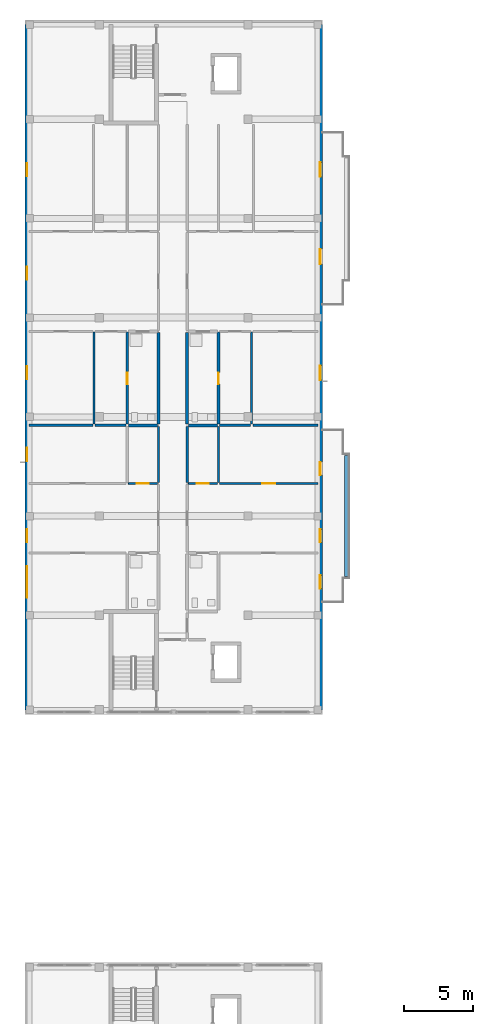
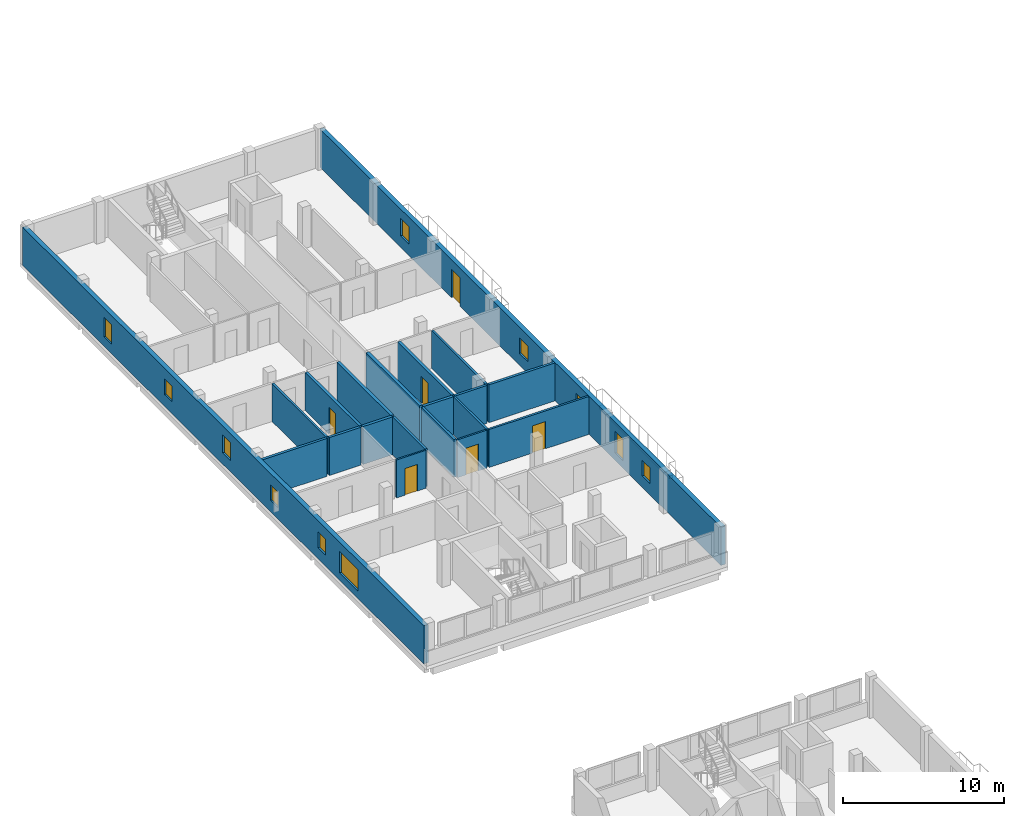
# One storey, part 17 of 41: 21 walls, 10 windows, 7 doors, 17 openings.
"""IFC4 building model written with IfcOpenShell, lengths in metres."""

from ifc_helpers import new_model, si_unit, derived_unit, direction, frame, frame_2d, origin, place, context, subcontext, project, spatial, rectangle, extrude, material, layer, layer_set, type_object, element, fill, save


model = new_model("IFC4")

# Units and contexts
model_context = context("Model", 3, precision=1e-05, world=origin(), true_north=direction((0.0, 1.0)))
body_context = subcontext(model_context, "Body", "Model", "MODEL_VIEW")
ifc_project = project(units=[si_unit("LENGTHUNIT", "METRE"), si_unit("AREAUNIT", "SQUARE_METRE"), si_unit("VOLUMEUNIT", "CUBIC_METRE"), si_unit("PLANEANGLEUNIT", "RADIAN"), si_unit("MASSUNIT", "GRAM", prefix="KILO"), derived_unit("THERMALTRANSMITTANCEUNIT", [(si_unit("MASSUNIT", "GRAM", prefix="KILO"), 1), (si_unit("TIMEUNIT", "SECOND"), -3), (si_unit("THERMODYNAMICTEMPERATUREUNIT", "KELVIN"), -1)])], contexts=[model_context])

# Site, building, storey
site_placement = place(None, origin())
site = spatial("IfcSite", under=ifc_project, at=site_placement, CompositionType="ELEMENT")
building_placement = place(site_placement, origin())
building = spatial("IfcBuilding", under=site, at=building_placement, Name="Ochrekiln Boulevard Commons", CompositionType="ELEMENT")
storey_placement = place(building_placement, frame((0.0, 0.0, 21.52490234375)))
storey = spatial("IfcBuildingStorey", under=building, at=storey_placement, Name="L06", CompositionType="ELEMENT", Elevation=21.52490234375)

# Wall, openings, windows
ifc_material_1 = material(Name="Desert ochre clinker brick masonry ASTM C216 Grade SW", Category="masonry")
ifc_layer_1 = layer(ifc_material_1, 0.320068359375)
ifc_layer_set_1 = layer_set([ifc_layer_1], Name="Desert ochre clinker brick masonry ASTM C216 Grade SW")
wall_type_1 = type_object("IfcWallType", Name="WL-EXT-OCHRE-320", PredefinedType="SOLIDWALL", material=ifc_layer_set_1)
wall_1_placement = place(storey_placement, frame((0.159912109375, 68.719970703125, 0.0), z_axis=(0.0, 0.0, 1.0), x_axis=(0.0, 1.0, 0.0)))
wall_1 = element("IfcWall", 1, at=wall_1_placement, inside=storey, type_object=wall_type_1, Name="Block A L06 W Exterior Wall", PredefinedType="SOLIDWALL", context=body_context, shape_type="SweptSolid", body=[
    extrude(rectangle(XDim=49.760009765625, YDim=0.320068359375, at=frame_2d((24.8798828125, 0.0))), origin(), (0.0, 0.0, 1.0), 2.89013671875),
])
opening_1_placement = place(wall_1_placement, frame((12.1689453125, 0.0, 0.85009765625)))
opening_1 = element("IfcOpeningElement", 2, at=opening_1_placement, cuts=wall_1, Name="Opening W-01", PredefinedType="OPENING", context=body_context, shape_type="SweptSolid", body=[
    extrude(rectangle(XDim=0.949951171875, YDim=1.199951171875, at=frame_2d((0.47509765625, 0.60009765625))), frame((0.0, 0.169921875, 0.0), z_axis=(0.0, -1.0, 0.0), x_axis=(1.0, 0.0, 0.0)), (0.0, 0.0, 1.0), 0.340087890625),
])
opening_2_placement = place(wall_1_placement, frame((8.14892578125, 0.0, 0.554931640625)))
opening_2 = element("IfcOpeningElement", 3, at=opening_2_placement, cuts=wall_1, Name="Opening W-59", PredefinedType="OPENING", context=body_context, shape_type="SweptSolid", body=[
    extrude(rectangle(XDim=2.300048828125, YDim=1.64990234375, at=frame_2d((1.14990234375, 0.824951171875))), frame((0.0, 0.169921875, 0.0), z_axis=(0.0, -1.0, 0.0), x_axis=(1.0, 0.0, 0.0)), (0.0, 0.0, 1.0), 0.340087890625),
])
opening_3_placement = place(wall_1_placement, frame((18.072021484375, 0.0, 0.85009765625)))
opening_3 = element("IfcOpeningElement", 4, at=opening_3_placement, cuts=wall_1, Name="Opening W-01", PredefinedType="OPENING", context=body_context, shape_type="SweptSolid", body=[
    extrude(rectangle(XDim=0.949951171875, YDim=1.199951171875, at=frame_2d((0.47509765625, 0.60009765625))), frame((0.0, 0.169921875, 0.0), z_axis=(0.0, -1.0, 0.0), x_axis=(1.0, 0.0, 0.0)), (0.0, 0.0, 1.0), 0.340087890625),
])
opening_4_placement = place(wall_1_placement, frame((31.22509765625, 0.0, 0.89990234375)))
opening_4 = element("IfcOpeningElement", 5, at=opening_4_placement, cuts=wall_1, Name="Opening W-01", PredefinedType="OPENING", context=body_context, shape_type="SweptSolid", body=[
    extrude(rectangle(XDim=0.949951171875, YDim=1.199951171875, at=frame_2d((0.47509765625, 0.60009765625))), frame((0.0, 0.169921875, 0.0), z_axis=(0.0, -1.0, 0.0), x_axis=(1.0, 0.0, 0.0)), (0.0, 0.0, 1.0), 0.340087890625),
])
opening_5_placement = place(wall_1_placement, frame((24.001953125, 0.0, 0.85498046875)))
opening_5 = element("IfcOpeningElement", 6, at=opening_5_placement, cuts=wall_1, Name="Opening W-02", PredefinedType="OPENING", context=body_context, shape_type="SweptSolid", body=[
    extrude(rectangle(XDim=0.949951171875, YDim=1.35009765625, at=frame_2d((0.47509765625, 0.675048828125))), frame((0.0, 0.169921875, 0.0), z_axis=(0.0, -1.0, 0.0), x_axis=(1.0, 0.0, 0.0)), (0.0, 0.0, 1.0), 0.340087890625),
])
opening_6_placement = place(wall_1_placement, frame((38.739990234375, 0.0, 0.705078125)))
opening_6 = element("IfcOpeningElement", 7, at=opening_6_placement, cuts=wall_1, Name="Opening W-03", PredefinedType="OPENING", context=body_context, shape_type="SweptSolid", body=[
    extrude(rectangle(XDim=0.949951171875, YDim=1.5, at=frame_2d((0.47509765625, 0.75))), frame((0.0, 0.169921875, 0.0), z_axis=(0.0, -1.0, 0.0), x_axis=(1.0, 0.0, 0.0)), (0.0, 0.0, 1.0), 0.340087890625),
])
ifc_material_2 = material(Name="Thermally broken aluminium-clad oak frame", Category="aluminium")
window_type_1 = type_object("IfcWindowType", Name="WIN-EXT-01", PartitioningType="SINGLE_PANEL", PredefinedType="WINDOW", material=ifc_material_2)
window_1_placement = place(opening_1_placement, origin())
window_1 = element("IfcWindow", 8, at=window_1_placement, inside=storey, type_object=window_type_1, Name="Block A L06 Punched Masonry Window W-01", OverallHeight=1.199951171875, OverallWidth=0.949951171875, PartitioningType="SINGLE_PANEL", PredefinedType="WINDOW", context=body_context, shape_type="SweptSolid", body=[
    extrude(rectangle(XDim=0.949951171875, YDim=1.199951171875, at=frame_2d((0.47509765625, 0.60009765625))), frame((0.0, 0.030029296875, 0.0), z_axis=(0.0, -1.0, 0.0), x_axis=(1.0, 0.0, 0.0)), (0.0, 0.0, 1.0), 0.06005859375),
])
fill(opening_1, window_1)
window_2_placement = place(opening_3_placement, origin())
window_2 = element("IfcWindow", 9, at=window_2_placement, inside=storey, type_object=window_type_1, Name="Block A L06 Punched Masonry Window W-01", OverallHeight=1.199951171875, OverallWidth=0.949951171875, PartitioningType="SINGLE_PANEL", PredefinedType="WINDOW", context=body_context, shape_type="SweptSolid", body=[
    extrude(rectangle(XDim=0.949951171875, YDim=1.199951171875, at=frame_2d((0.47509765625, 0.60009765625))), frame((0.0, 0.030029296875, 0.0), z_axis=(0.0, -1.0, 0.0), x_axis=(1.0, 0.0, 0.0)), (0.0, 0.0, 1.0), 0.06005859375),
])
fill(opening_3, window_2)
window_3_placement = place(opening_4_placement, origin())
window_3 = element("IfcWindow", 10, at=window_3_placement, inside=storey, type_object=window_type_1, Name="Block A L06 Punched Masonry Window W-01", OverallHeight=1.199951171875, OverallWidth=0.949951171875, PartitioningType="SINGLE_PANEL", PredefinedType="WINDOW", context=body_context, shape_type="SweptSolid", body=[
    extrude(rectangle(XDim=0.949951171875, YDim=1.199951171875, at=frame_2d((0.47509765625, 0.60009765625))), frame((0.0, 0.030029296875, 0.0), z_axis=(0.0, -1.0, 0.0), x_axis=(1.0, 0.0, 0.0)), (0.0, 0.0, 1.0), 0.06005859375),
])
fill(opening_4, window_3)
window_type_2 = type_object("IfcWindowType", Name="WIN-EXT-02", PartitioningType="SINGLE_PANEL", PredefinedType="WINDOW", material=ifc_material_2)
window_4_placement = place(opening_5_placement, origin())
window_4 = element("IfcWindow", 11, at=window_4_placement, inside=storey, type_object=window_type_2, Name="Block A L06 Punched Masonry Window W-02", OverallHeight=1.35009765625, OverallWidth=0.949951171875, PartitioningType="SINGLE_PANEL", PredefinedType="WINDOW", context=body_context, shape_type="SweptSolid", body=[
    extrude(rectangle(XDim=0.949951171875, YDim=1.35009765625, at=frame_2d((0.47509765625, 0.675048828125))), frame((0.0, 0.030029296875, 0.0), z_axis=(0.0, -1.0, 0.0), x_axis=(1.0, 0.0, 0.0)), (0.0, 0.0, 1.0), 0.06005859375),
])
fill(opening_5, window_4)
window_type_3 = type_object("IfcWindowType", Name="WIN-EXT-03", PartitioningType="SINGLE_PANEL", PredefinedType="WINDOW", material=ifc_material_2)
window_5_placement = place(opening_6_placement, origin())
window_5 = element("IfcWindow", 12, at=window_5_placement, inside=storey, type_object=window_type_3, Name="Block A L06 Punched Masonry Window W-03", OverallHeight=1.5, OverallWidth=0.949951171875, PartitioningType="SINGLE_PANEL", PredefinedType="WINDOW", context=body_context, shape_type="SweptSolid", body=[
    extrude(rectangle(XDim=0.949951171875, YDim=1.5, at=frame_2d((0.47509765625, 0.75))), frame((0.0, 0.030029296875, 0.0), z_axis=(0.0, -1.0, 0.0), x_axis=(1.0, 0.0, 0.0)), (0.0, 0.0, 1.0), 0.06005859375),
])
fill(opening_6, window_5)
window_type_4 = type_object("IfcWindowType", Name="WIN-EXT-59", PartitioningType="DOUBLE_PANEL_VERTICAL", PredefinedType="WINDOW", material=ifc_material_2)
window_6_placement = place(opening_2_placement, origin())
window_6 = element("IfcWindow", 13, at=window_6_placement, inside=storey, type_object=window_type_4, Name="Block A L06 Punched Masonry Window W-59", OverallHeight=1.64990234375, OverallWidth=2.300048828125, PartitioningType="DOUBLE_PANEL_VERTICAL", PredefinedType="WINDOW", context=body_context, shape_type="SweptSolid", body=[
    extrude(rectangle(XDim=2.300048828125, YDim=1.64990234375, at=frame_2d((1.14990234375, 0.824951171875))), frame((0.0, 0.030029296875, 0.0), z_axis=(0.0, -1.0, 0.0), x_axis=(1.0, 0.0, 0.0)), (0.0, 0.0, 1.0), 0.06005859375),
])
fill(opening_2, window_6)

# Wall, openings, doors, windows
wall_2_placement = place(storey_placement, frame((21.43994140625, 68.719970703125, 0.0), z_axis=(0.0, 0.0, 1.0), x_axis=(0.0, 1.0, 0.0)))
wall_2 = element("IfcWall", 14, at=wall_2_placement, inside=storey, type_object=wall_type_1, Name="Block A L06 E Exterior Wall", PredefinedType="SOLIDWALL", context=body_context, shape_type="SweptSolid", body=[
    extrude(rectangle(XDim=49.760009765625, YDim=0.320068359375, at=frame_2d((24.8798828125, 0.0))), origin(), (0.0, 0.0, 1.0), 2.89013671875),
])
opening_7_placement = place(wall_2_placement, frame((12.1689453125, 0.0, 0.554931640625)))
opening_7 = element("IfcOpeningElement", 15, at=opening_7_placement, cuts=wall_2, Name="Opening W-04", PredefinedType="OPENING", context=body_context, shape_type="SweptSolid", body=[
    extrude(rectangle(XDim=0.949951171875, YDim=1.64990234375, at=frame_2d((0.47509765625, 0.824951171875))), frame((0.0, 0.169921875, 0.0), z_axis=(0.0, -1.0, 0.0), x_axis=(1.0, 0.0, 0.0)), (0.0, 0.0, 1.0), 0.340087890625),
])
opening_8_placement = place(wall_2_placement, frame((8.824951171875, 0.0, 0.85009765625)))
opening_8 = element("IfcOpeningElement", 16, at=opening_8_placement, cuts=wall_2, Name="Opening W-01", PredefinedType="OPENING", context=body_context, shape_type="SweptSolid", body=[
    extrude(rectangle(XDim=0.949951171875, YDim=1.199951171875, at=frame_2d((0.47509765625, 0.60009765625))), frame((0.0, 0.169921875, 0.0), z_axis=(0.0, -1.0, 0.0), x_axis=(1.0, 0.0, 0.0)), (0.0, 0.0, 1.0), 0.340087890625),
])
opening_9_placement = place(wall_2_placement, frame((17.052978515625, 0.0, 0.0)))
opening_9 = element("IfcOpeningElement", 17, at=opening_9_placement, cuts=wall_2, Name="Opening D-L06-BL014", PredefinedType="OPENING", context=body_context, shape_type="SweptSolid", body=[
    extrude(rectangle(XDim=0.949951171875, YDim=2.14990234375, at=frame_2d((0.47509765625, 1.074951171875))), frame((0.0, 0.169921875, 0.0), z_axis=(0.0, -1.0, 0.0), x_axis=(1.0, 0.0, 0.0)), (0.0, 0.0, 1.0), 0.340087890625),
])
opening_10_placement = place(wall_2_placement, frame((32.364990234375, 0.0, 0.0)))
opening_10 = element("IfcOpeningElement", 18, at=opening_10_placement, cuts=wall_2, Name="Opening D-L06-BL015", PredefinedType="OPENING", context=body_context, shape_type="SweptSolid", body=[
    extrude(rectangle(XDim=1.080078125, YDim=2.179931640625, at=frame_2d((0.5400390625, 1.08984375))), frame((0.0, 0.169921875, 0.0), z_axis=(0.0, -1.0, 0.0), x_axis=(1.0, 0.0, 0.0)), (0.0, 0.0, 1.0), 0.340087890625),
])
opening_11_placement = place(wall_2_placement, frame((23.951904296875, 0.0, 0.89990234375)))
opening_11 = element("IfcOpeningElement", 19, at=opening_11_placement, cuts=wall_2, Name="Opening W-06", PredefinedType="OPENING", context=body_context, shape_type="SweptSolid", body=[
    extrude(rectangle(XDim=1.050048828125, YDim=1.199951171875, at=frame_2d((0.52490234375, 0.60009765625))), frame((0.0, 0.169921875, 0.0), z_axis=(0.0, -1.0, 0.0), x_axis=(1.0, 0.0, 0.0)), (0.0, 0.0, 1.0), 0.340087890625),
])
opening_12_placement = place(wall_2_placement, frame((38.68994140625, 0.0, 0.85498046875)))
opening_12 = element("IfcOpeningElement", 20, at=opening_12_placement, cuts=wall_2, Name="Opening W-07", PredefinedType="OPENING", context=body_context, shape_type="SweptSolid", body=[
    extrude(rectangle(XDim=1.050048828125, YDim=1.35009765625, at=frame_2d((0.52490234375, 0.675048828125))), frame((0.0, 0.169921875, 0.0), z_axis=(0.0, -1.0, 0.0), x_axis=(1.0, 0.0, 0.0)), (0.0, 0.0, 1.0), 0.340087890625),
])
door_type_1 = type_object("IfcDoorType", Name="DR-EXT-BAL-095", OperationType="NOTDEFINED", PredefinedType="DOOR", material=ifc_material_2)
door_1_placement = place(opening_9_placement, frame((0.949951171875, 0.0, 0.0), z_axis=(0.0, 0.0, 1.0), x_axis=(-1.0, 0.0, 0.0)))
door_1 = element("IfcDoor", 21, at=door_1_placement, inside=storey, type_object=door_type_1, Name="Block A L06 Glazed Balcony Patio Door", OperationType="SINGLE_SWING_LEFT", OverallHeight=2.14990234375, OverallWidth=0.949951171875, PredefinedType="DOOR", context=body_context, shape_type="SweptSolid", body=[
    extrude(rectangle(XDim=0.949951171875, YDim=2.14990234375, at=frame_2d((0.47509765625, 1.074951171875))), frame((0.0, 0.02490234375, 0.0), z_axis=(0.0, -1.0, 0.0), x_axis=(1.0, 0.0, 0.0)), (0.0, 0.0, 1.0), 0.050048828125),
])
fill(opening_9, door_1)
door_type_2 = type_object("IfcDoorType", Name="DR-EXT-BAL-108", OperationType="NOTDEFINED", PredefinedType="DOOR", material=ifc_material_2)
door_2_placement = place(opening_10_placement, frame((1.080078125, 0.0, 0.0), z_axis=(0.0, 0.0, 1.0), x_axis=(-1.0, 0.0, 0.0)))
door_2 = element("IfcDoor", 22, at=door_2_placement, inside=storey, type_object=door_type_2, Name="Block A L06 Glazed Balcony Patio Door", OperationType="SINGLE_SWING_RIGHT", OverallHeight=2.179931640625, OverallWidth=1.080078125, PredefinedType="DOOR", context=body_context, shape_type="SweptSolid", body=[
    extrude(rectangle(XDim=1.080078125, YDim=2.179931640625, at=frame_2d((0.5400390625, 1.08984375))), frame((0.0, 0.02490234375, 0.0), z_axis=(0.0, -1.0, 0.0), x_axis=(1.0, 0.0, 0.0)), (0.0, 0.0, 1.0), 0.050048828125),
])
fill(opening_10, door_2)
window_7_placement = place(opening_8_placement, origin())
window_7 = element("IfcWindow", 23, at=window_7_placement, inside=storey, type_object=window_type_1, Name="Block A L06 Punched Masonry Window W-01", OverallHeight=1.199951171875, OverallWidth=0.949951171875, PartitioningType="SINGLE_PANEL", PredefinedType="WINDOW", context=body_context, shape_type="SweptSolid", body=[
    extrude(rectangle(XDim=0.949951171875, YDim=1.199951171875, at=frame_2d((0.47509765625, 0.60009765625))), frame((0.0, 0.030029296875, 0.0), z_axis=(0.0, -1.0, 0.0), x_axis=(1.0, 0.0, 0.0)), (0.0, 0.0, 1.0), 0.06005859375),
])
fill(opening_8, window_7)
window_type_5 = type_object("IfcWindowType", Name="WIN-EXT-04", PartitioningType="SINGLE_PANEL", PredefinedType="WINDOW", material=ifc_material_2)
window_8_placement = place(opening_7_placement, origin())
window_8 = element("IfcWindow", 24, at=window_8_placement, inside=storey, type_object=window_type_5, Name="Block A L06 Punched Masonry Window W-04", OverallHeight=1.64990234375, OverallWidth=0.949951171875, PartitioningType="SINGLE_PANEL", PredefinedType="WINDOW", context=body_context, shape_type="SweptSolid", body=[
    extrude(rectangle(XDim=0.949951171875, YDim=1.64990234375, at=frame_2d((0.47509765625, 0.824951171875))), frame((0.0, 0.030029296875, 0.0), z_axis=(0.0, -1.0, 0.0), x_axis=(1.0, 0.0, 0.0)), (0.0, 0.0, 1.0), 0.06005859375),
])
fill(opening_7, window_8)
window_type_6 = type_object("IfcWindowType", Name="WIN-EXT-06", PartitioningType="SINGLE_PANEL", PredefinedType="WINDOW", material=ifc_material_2)
window_9_placement = place(opening_11_placement, origin())
window_9 = element("IfcWindow", 25, at=window_9_placement, inside=storey, type_object=window_type_6, Name="Block A L06 Punched Masonry Window W-06", OverallHeight=1.199951171875, OverallWidth=1.050048828125, PartitioningType="SINGLE_PANEL", PredefinedType="WINDOW", context=body_context, shape_type="SweptSolid", body=[
    extrude(rectangle(XDim=1.050048828125, YDim=1.199951171875, at=frame_2d((0.52490234375, 0.60009765625))), frame((0.0, 0.030029296875, 0.0), z_axis=(0.0, -1.0, 0.0), x_axis=(1.0, 0.0, 0.0)), (0.0, 0.0, 1.0), 0.06005859375),
])
fill(opening_11, window_9)
window_type_7 = type_object("IfcWindowType", Name="WIN-EXT-07", PartitioningType="SINGLE_PANEL", PredefinedType="WINDOW", material=ifc_material_2)
window_10_placement = place(opening_12_placement, origin())
window_10 = element("IfcWindow", 26, at=window_10_placement, inside=storey, type_object=window_type_7, Name="Block A L06 Punched Masonry Window W-07", OverallHeight=1.35009765625, OverallWidth=1.050048828125, PartitioningType="SINGLE_PANEL", PredefinedType="WINDOW", context=body_context, shape_type="SweptSolid", body=[
    extrude(rectangle(XDim=1.050048828125, YDim=1.35009765625, at=frame_2d((0.52490234375, 0.675048828125))), frame((0.0, 0.030029296875, 0.0), z_axis=(0.0, -1.0, 0.0), x_axis=(1.0, 0.0, 0.0)), (0.0, 0.0, 1.0), 0.06005859375),
])
fill(opening_12, window_10)

# Wall
ifc_material_3 = material(Name="Moisture-resistant cementitious tile backer wall")
ifc_layer_2 = layer(ifc_material_3, 0.199951171875)
ifc_layer_set_2 = layer_set([ifc_layer_2], Name="Moisture-resistant cementitious tile backer wall")
wall_type_2 = type_object("IfcWallType", Name="WL-PLM-200", PredefinedType="PLUMBINGWALL", material=ifc_layer_set_2)
wall_3_placement = place(storey_placement, frame((7.52001953125, 89.3759765625, 0.0), z_axis=(0.0, 0.0, 1.0), x_axis=(1.0, 0.0, 0.0)))
element("IfcWall", 27, at=wall_3_placement, inside=storey, type_object=wall_type_2, Name="L06 Interior Wall W-PW200", PredefinedType="PLUMBINGWALL", context=body_context, shape_type="SweptSolid", body=[
    extrude(rectangle(XDim=2.10791015625, YDim=0.199951171875, at=frame_2d((1.053955078125, 0.0))), origin(), (0.0, 0.0, 1.0), 2.8701171875),
])

# Wall, opening, door
wall_4_placement = place(storey_placement, frame((7.43994140625, 89.466064453125, 0.0), z_axis=(0.0, 0.0, 1.0), x_axis=(0.0, 1.0, 0.0)))
wall_4 = element("IfcWall", 28, at=wall_4_placement, inside=storey, type_object=wall_type_2, Name="L06 Interior Wall W-PW200", PredefinedType="PLUMBINGWALL", context=body_context, shape_type="SweptSolid", body=[
    extrude(rectangle(XDim=6.677978515625, YDim=0.199951171875, at=frame_2d((3.3388671875, 0.0))), origin(), (0.0, 0.0, 1.0), 2.8701171875),
])
opening_13_placement = place(wall_4_placement, frame((2.904052734375, 0.0, 0.0)))
opening_13 = element("IfcOpeningElement", 29, at=opening_13_placement, cuts=wall_4, Name="Opening D-L06-799", PredefinedType="OPENING", context=body_context, shape_type="SweptSolid", body=[
    extrude(rectangle(XDim=0.85009765625, YDim=2.010009765625, at=frame_2d((0.425048828125, 1.0048828125))), frame((0.0, 0.10986328125, 0.0), z_axis=(0.0, -1.0, 0.0), x_axis=(1.0, 0.0, 0.0)), (0.0, 0.0, 1.0), 0.219970703125),
])
ifc_material_4 = material(Name="Solid core architectural oak door leaf")
door_type_3 = type_object("IfcDoorType", Name="DR-INT-KIT-085", OperationType="NOTDEFINED", PredefinedType="DOOR", material=ifc_material_4)
door_3_placement = place(opening_13_placement, frame((0.85009765625, 0.0, 0.0), z_axis=(0.0, 0.0, 1.0), x_axis=(-1.0, 0.0, 0.0)))
door_3 = element("IfcDoor", 30, at=door_3_placement, inside=storey, type_object=door_type_3, Name="L06 Interior Door to Apartment Bathroom", OperationType="SINGLE_SWING_LEFT", OverallHeight=2.010009765625, OverallWidth=0.85009765625, PredefinedType="DOOR", context=body_context, shape_type="SweptSolid", body=[
    extrude(rectangle(XDim=0.85009765625, YDim=2.010009765625, at=frame_2d((0.425048828125, 1.0048828125))), frame((0.0, 0.02490234375, 0.0), z_axis=(0.0, -1.0, 0.0), x_axis=(1.0, 0.0, 0.0)), (0.0, 0.0, 1.0), 0.050048828125),
])
fill(opening_13, door_3)

# Wall
wall_5_placement = place(storey_placement, frame((11.8720703125, 89.3759765625, 0.0), z_axis=(0.0, 0.0, 1.0), x_axis=(1.0, 0.0, 0.0)))
element("IfcWall", 31, at=wall_5_placement, inside=storey, type_object=wall_type_2, Name="L06 Interior Wall W-PW200", PredefinedType="PLUMBINGWALL", context=body_context, shape_type="SweptSolid", body=[
    extrude(rectangle(XDim=2.113037109375, YDim=0.199951171875, at=frame_2d((1.056640625, 0.0))), origin(), (0.0, 0.0, 1.0), 2.8701171875),
])

# Wall, opening, door
wall_6_placement = place(storey_placement, frame((14.06005859375, 89.466064453125, 0.0), z_axis=(0.0, 0.0, 1.0), x_axis=(0.0, 1.0, 0.0)))
wall_6 = element("IfcWall", 32, at=wall_6_placement, inside=storey, type_object=wall_type_2, Name="L06 Interior Wall W-PW200", PredefinedType="PLUMBINGWALL", context=body_context, shape_type="SweptSolid", body=[
    extrude(rectangle(XDim=6.677978515625, YDim=0.199951171875, at=frame_2d((3.3388671875, 0.0))), origin(), (0.0, 0.0, 1.0), 2.8701171875),
])
opening_14_placement = place(wall_6_placement, frame((2.904052734375, 0.0, 0.0)))
opening_14 = element("IfcOpeningElement", 33, at=opening_14_placement, cuts=wall_6, Name="Opening D-L06-810", PredefinedType="OPENING", context=body_context, shape_type="SweptSolid", body=[
    extrude(rectangle(XDim=0.85009765625, YDim=2.010009765625, at=frame_2d((0.425048828125, 1.0048828125))), frame((0.0, 0.10986328125, 0.0), z_axis=(0.0, -1.0, 0.0), x_axis=(1.0, 0.0, 0.0)), (0.0, 0.0, 1.0), 0.219970703125),
])
door_4_placement = place(opening_14_placement, origin())
door_4 = element("IfcDoor", 34, at=door_4_placement, inside=storey, type_object=door_type_3, Name="L06 Interior Door to Apartment Bathroom", OperationType="SINGLE_SWING_RIGHT", OverallHeight=2.010009765625, OverallWidth=0.85009765625, PredefinedType="DOOR", context=body_context, shape_type="SweptSolid", body=[
    extrude(rectangle(XDim=0.85009765625, YDim=2.010009765625, at=frame_2d((0.425048828125, 1.0048828125))), frame((0.0, 0.02490234375, 0.0), z_axis=(0.0, -1.0, 0.0), x_axis=(1.0, 0.0, 0.0)), (0.0, 0.0, 1.0), 0.050048828125),
])
fill(opening_14, door_4)

# Walls
ifc_layer_3 = layer(ifc_material_3, 0.219970703125)
ifc_layer_set_3 = layer_set([ifc_layer_3], Name="Moisture-resistant cementitious tile backer wall")
wall_type_3 = type_object("IfcWallType", Name="WL-PLM-220", PredefinedType="PLUMBINGWALL", material=ifc_layer_set_3)
for number, where, z_axis, x_axis, name in (
    (35, (9.7099609375, 89.466064453125, 0.0), (0.0, 0.0, 1.0), (0.0, 1.0, 0.0), "L06 Interior Wall W-PW220"),
    (36, (11.7900390625, 89.466064453125, 0.0), (0.0, 0.0, 1.0), (0.0, 1.0, 0.0), "L06 Interior Wall W-PW220"),
):
    element("IfcWall", number, at=place(storey_placement, frame(where, z_axis=z_axis, x_axis=x_axis)), inside=storey, type_object=wall_type_3, Name=name, PredefinedType="PLUMBINGWALL", context=body_context, shape_type="SweptSolid", body=[
        extrude(rectangle(XDim=6.657958984375, YDim=0.219970703125, at=frame_2d((3.3291015625, 0.0))), origin(), (0.0, 0.0, 1.0), 2.8701171875),
    ])
ifc_material_5 = material(Name="Glazed architectural terracotta ASTM C1405", Category="masonry")
ifc_layer_4 = layer(ifc_material_5, 0.25)
ifc_layer_set_4 = layer_set([ifc_layer_4], Name="Glazed architectural terracotta ASTM C1405")
wall_type_4 = type_object("IfcWallType", Name="WL-PLN-250", PredefinedType="PARAPET", material=ifc_layer_set_4)
wall_7_placement = place(storey_placement, frame((23.320068359375, 78.409912109375, 0.0), z_axis=(0.0, 0.0, 1.0), x_axis=(0.0, 1.0, 0.0)))
element("IfcWall", 37, at=wall_7_placement, inside=storey, type_object=wall_type_4, Name="Block A L06 Balcony Terracotta Planter Box 1", PredefinedType="PARAPET", context=body_context, shape_type="SweptSolid", body=[
    extrude(rectangle(XDim=8.780029296875, YDim=0.25, at=frame_2d((4.39013671875, 0.0))), origin(), (0.0, 0.0, 1.0), 0.22998046875),
])
ifc_material_6 = material(Name="Fire-rated Type X gypsum board on steel studs", Category="steel")
ifc_layer_5 = layer(ifc_material_6, 0.1650390625)
ifc_layer_set_5 = layer_set([ifc_layer_5], Name="Fire-rated Type X gypsum board on steel studs")
wall_type_5 = type_object("IfcWallType", Name="WL-PT-CORR-165", PredefinedType="PARTITIONING", material=ifc_layer_set_5)
for number, where, z_axis, x_axis, name in (
    (38, (9.7099609375, 85.2470703125, 0.0), (0.0, 0.0, 1.0), (0.0, 1.0, 0.0), "L06 Interior Wall W-PC165"),
    (39, (11.7900390625, 85.2470703125, 0.0), (0.0, 0.0, 1.0), (0.0, 1.0, 0.0), "L06 Interior Wall W-PC165"),
):
    element("IfcWall", number, at=place(storey_placement, frame(where, z_axis=z_axis, x_axis=x_axis)), inside=storey, type_object=wall_type_5, Name=name, PredefinedType="PARTITIONING", context=body_context, shape_type="SweptSolid", body=[
        extrude(rectangle(XDim=4.038818359375, YDim=0.1650390625, at=frame_2d((2.01953125, 0.0))), origin(), (0.0, 0.0, 1.0), 2.8701171875),
    ])
ifc_layer_6 = layer(ifc_material_6, 0.179931640625)
ifc_layer_set_6 = layer_set([ifc_layer_6], Name="Fire-rated Type X gypsum board on steel studs")
wall_type_6 = type_object("IfcWallType", Name="WL-PT-DEM-180", PredefinedType="PARTITIONING", material=ifc_layer_set_6)
wall_8_placement = place(storey_placement, frame((0.320068359375, 89.3759765625, 0.0), z_axis=(0.0, 0.0, 1.0), x_axis=(1.0, 0.0, 0.0)))
element("IfcWall", 40, at=wall_8_placement, inside=storey, type_object=wall_type_6, Name="L06 Interior Wall W-PD180", PredefinedType="PARTITIONING", context=body_context, shape_type="SweptSolid", body=[
    extrude(rectangle(XDim=4.6298828125, YDim=0.179931640625, at=frame_2d((2.31494140625, 0.0))), origin(), (0.0, 0.0, 1.0), 2.8701171875),
])
wall_9_placement = place(storey_placement, frame((5.110107421875, 89.3759765625, 0.0), z_axis=(0.0, 0.0, 1.0), x_axis=(1.0, 0.0, 0.0)))
element("IfcWall", 41, at=wall_9_placement, inside=storey, type_object=wall_type_6, Name="L06 Interior Wall W-PD180", PredefinedType="PARTITIONING", context=body_context, shape_type="SweptSolid", body=[
    extrude(rectangle(XDim=2.25, YDim=0.179931640625, at=frame_2d((1.125, 0.0))), origin(), (0.0, 0.0, 1.0), 2.8701171875),
])
wall_10_placement = place(storey_placement, frame((16.550048828125, 89.3759765625, 0.0), z_axis=(0.0, 0.0, 1.0), x_axis=(1.0, 0.0, 0.0)))
element("IfcWall", 42, at=wall_10_placement, inside=storey, type_object=wall_type_6, Name="L06 Interior Wall W-PD180", PredefinedType="PARTITIONING", context=body_context, shape_type="SweptSolid", body=[
    extrude(rectangle(XDim=4.72998046875, YDim=0.179931640625, at=frame_2d((2.364990234375, 0.0))), origin(), (0.0, 0.0, 1.0), 2.8701171875),
])
wall_11_placement = place(storey_placement, frame((14.135009765625, 89.3759765625, 0.0), z_axis=(0.0, 0.0, 1.0), x_axis=(1.0, 0.0, 0.0)))
element("IfcWall", 43, at=wall_11_placement, inside=storey, type_object=wall_type_6, Name="L06 Interior Wall W-PD180", PredefinedType="PARTITIONING", context=body_context, shape_type="SweptSolid", body=[
    extrude(rectangle(XDim=2.2548828125, YDim=0.179931640625, at=frame_2d((1.12744140625, 0.0))), origin(), (0.0, 0.0, 1.0), 2.8701171875),
])

# Wall, opening, door
ifc_layer_7 = layer(ifc_material_6, 0.1201171875)
ifc_layer_set_7 = layer_set([ifc_layer_7], Name="Fire-rated Type X gypsum board on steel studs")
wall_type_7 = type_object("IfcWallType", Name="WL-PT-LGT-120", PredefinedType="PARTITIONING", material=ifc_layer_set_7)
wall_12_placement = place(storey_placement, frame((7.52001953125, 85.1669921875, 0.0), z_axis=(0.0, 0.0, 1.0), x_axis=(1.0, 0.0, 0.0)))
wall_12 = element("IfcWall", 44, at=wall_12_placement, inside=storey, type_object=wall_type_7, Name="L06 Interior Wall W-PL120", PredefinedType="PARTITIONING", context=body_context, shape_type="SweptSolid", body=[
    extrude(rectangle(XDim=2.10791015625, YDim=0.1201171875, at=frame_2d((1.053955078125, 0.0))), origin(), (0.0, 0.0, 1.0), 2.8701171875),
])
opening_15_placement = place(wall_12_placement, frame((0.610107421875, 0.0, 0.0)))
opening_15 = element("IfcOpeningElement", 45, at=opening_15_placement, cuts=wall_12, Name="Opening D-L06-790", PredefinedType="OPENING", context=body_context, shape_type="SweptSolid", body=[
    extrude(rectangle(XDim=0.8798828125, YDim=2.02001953125, at=frame_2d((0.43994140625, 1.010009765625))), frame((0.0, 0.070068359375, 0.0), z_axis=(0.0, -1.0, 0.0), x_axis=(1.0, 0.0, 0.0)), (0.0, 0.0, 1.0), 0.14013671875),
])
door_type_4 = type_object("IfcDoorType", Name="DR-INT-KIT-088", OperationType="NOTDEFINED", PredefinedType="DOOR", material=ifc_material_4)
door_5_placement = place(opening_15_placement, origin())
door_5 = element("IfcDoor", 46, at=door_5_placement, inside=storey, type_object=door_type_4, Name="L06 Interior Door to Apartment Kitchen", OperationType="SINGLE_SWING_RIGHT", OverallHeight=2.02001953125, OverallWidth=0.8798828125, PredefinedType="DOOR", context=body_context, shape_type="SweptSolid", body=[
    extrude(rectangle(XDim=0.8798828125, YDim=2.02001953125, at=frame_2d((0.43994140625, 1.010009765625))), frame((0.0, 0.02490234375, 0.0), z_axis=(0.0, -1.0, 0.0), x_axis=(1.0, 0.0, 0.0)), (0.0, 0.0, 1.0), 0.050048828125),
])
fill(opening_15, door_5)

wall_13_placement = place(storey_placement, frame((11.8720703125, 85.1669921875, 0.0), z_axis=(0.0, 0.0, 1.0), x_axis=(1.0, 0.0, 0.0)))
wall_13 = element("IfcWall", 47, at=wall_13_placement, inside=storey, type_object=wall_type_7, Name="L06 Interior Wall W-PL120", PredefinedType="PARTITIONING", context=body_context, shape_type="SweptSolid", body=[
    extrude(rectangle(XDim=2.10791015625, YDim=0.1201171875, at=frame_2d((1.053955078125, 0.0))), origin(), (0.0, 0.0, 1.0), 2.8701171875),
])
opening_16_placement = place(wall_13_placement, frame((0.617919921875, 0.0, 0.0)))
opening_16 = element("IfcOpeningElement", 48, at=opening_16_placement, cuts=wall_13, Name="Opening D-L06-801", PredefinedType="OPENING", context=body_context, shape_type="SweptSolid", body=[
    extrude(rectangle(XDim=0.8798828125, YDim=2.02001953125, at=frame_2d((0.43994140625, 1.010009765625))), frame((0.0, 0.070068359375, 0.0), z_axis=(0.0, -1.0, 0.0), x_axis=(1.0, 0.0, 0.0)), (0.0, 0.0, 1.0), 0.14013671875),
])
door_6_placement = place(opening_16_placement, origin())
door_6 = element("IfcDoor", 49, at=door_6_placement, inside=storey, type_object=door_type_4, Name="L06 Interior Door to Apartment Kitchen", OperationType="SINGLE_SWING_LEFT", OverallHeight=2.02001953125, OverallWidth=0.8798828125, PredefinedType="DOOR", context=body_context, shape_type="SweptSolid", body=[
    extrude(rectangle(XDim=0.8798828125, YDim=2.02001953125, at=frame_2d((0.43994140625, 1.010009765625))), frame((0.0, 0.02490234375, 0.0), z_axis=(0.0, -1.0, 0.0), x_axis=(1.0, 0.0, 0.0)), (0.0, 0.0, 1.0), 0.050048828125),
])
fill(opening_16, door_6)

# Wall
ifc_layer_8 = layer(ifc_material_6, 0.14990234375)
ifc_layer_set_8 = layer_set([ifc_layer_8], Name="Fire-rated Type X gypsum board on steel studs")
wall_type_8 = type_object("IfcWallType", Name="WL-PT-STD-150", PredefinedType="PARTITIONING", material=ifc_layer_set_8)
wall_14_placement = place(storey_placement, frame((5.030029296875, 89.466064453125, 0.0), z_axis=(0.0, 0.0, 1.0), x_axis=(0.0, 1.0, 0.0)))
element("IfcWall", 50, at=wall_14_placement, inside=storey, type_object=wall_type_8, Name="L06 Interior Wall W-PS150", PredefinedType="PARTITIONING", context=body_context, shape_type="SweptSolid", body=[
    extrude(rectangle(XDim=6.677978515625, YDim=0.14990234375, at=frame_2d((3.3388671875, 0.0))), origin(), (0.0, 0.0, 1.0), 2.8701171875),
])

# Wall, opening, door
wall_15_placement = place(storey_placement, frame((14.139892578125, 85.1669921875, 0.0), z_axis=(0.0, 0.0, 1.0), x_axis=(1.0, 0.0, 0.0)))
wall_15 = element("IfcWall", 51, at=wall_15_placement, inside=storey, type_object=wall_type_8, Name="L06 Interior Wall W-PS150", PredefinedType="PARTITIONING", context=body_context, shape_type="SweptSolid", body=[
    extrude(rectangle(XDim=7.14013671875, YDim=0.14990234375, at=frame_2d((3.570068359375, 0.0))), origin(), (0.0, 0.0, 1.0), 2.8701171875),
])
opening_17_placement = place(wall_15_placement, frame((3.0849609375, 0.0, 0.0)))
opening_17 = element("IfcOpeningElement", 52, at=opening_17_placement, cuts=wall_15, Name="Opening D-L06-803", PredefinedType="OPENING", context=body_context, shape_type="SweptSolid", body=[
    extrude(rectangle(XDim=0.93994140625, YDim=2.06005859375, at=frame_2d((0.469970703125, 1.030029296875))), frame((0.0, 0.0849609375, 0.0), z_axis=(0.0, -1.0, 0.0), x_axis=(1.0, 0.0, 0.0)), (0.0, 0.0, 1.0), 0.169921875),
])
door_type_5 = type_object("IfcDoorType", Name="DR-INT-BED-094", OperationType="NOTDEFINED", PredefinedType="DOOR", material=ifc_material_4)
door_7_placement = place(opening_17_placement, origin())
door_7 = element("IfcDoor", 53, at=door_7_placement, inside=storey, type_object=door_type_5, Name="L06 Interior Door to Secondary Apartment Bedroom", OperationType="SINGLE_SWING_LEFT", OverallHeight=2.06005859375, OverallWidth=0.93994140625, PredefinedType="DOOR", context=body_context, shape_type="SweptSolid", body=[
    extrude(rectangle(XDim=0.93994140625, YDim=2.06005859375, at=frame_2d((0.469970703125, 1.030029296875))), frame((0.0, 0.02490234375, 0.0), z_axis=(0.0, -1.0, 0.0), x_axis=(1.0, 0.0, 0.0)), (0.0, 0.0, 1.0), 0.050048828125),
])
fill(opening_17, door_7)

# Walls
wall_16_placement = place(storey_placement, frame((14.06005859375, 85.22705078125, 0.0), z_axis=(0.0, 0.0, 1.0), x_axis=(0.0, 1.0, 0.0)))
element("IfcWall", 54, at=wall_16_placement, inside=storey, type_object=wall_type_8, Name="L06 Interior Wall W-PS150", PredefinedType="PARTITIONING", context=body_context, shape_type="SweptSolid", body=[
    extrude(rectangle(XDim=4.058837890625, YDim=0.14990234375, at=frame_2d((2.029296875, 0.0))), origin(), (0.0, 0.0, 1.0), 2.8701171875),
])
wall_17_placement = place(storey_placement, frame((16.469970703125, 89.466064453125, 0.0), z_axis=(0.0, 0.0, 1.0), x_axis=(0.0, 1.0, 0.0)))
element("IfcWall", 55, at=wall_17_placement, inside=storey, type_object=wall_type_8, Name="L06 Interior Wall W-PS150", PredefinedType="PARTITIONING", context=body_context, shape_type="SweptSolid", body=[
    extrude(rectangle(XDim=6.677978515625, YDim=0.14990234375, at=frame_2d((3.3388671875, 0.0))), origin(), (0.0, 0.0, 1.0), 2.8701171875),
])

save(model, "model.ifc")
